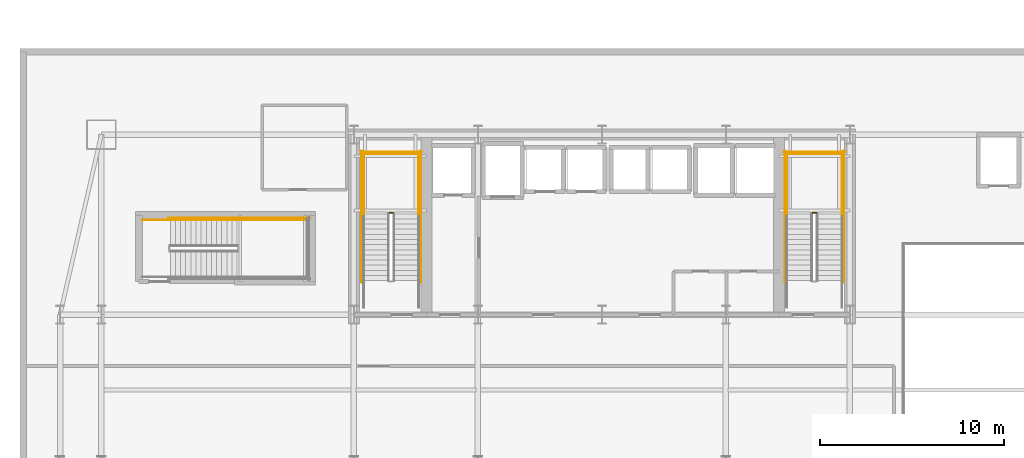
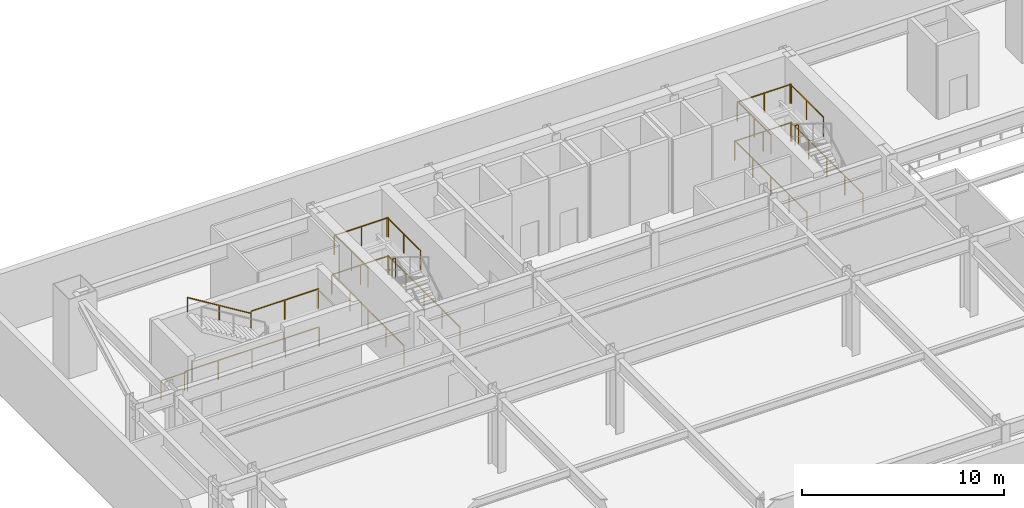
# One storey, part 20 of 25: 18 railings.
"""IFC4 building model written with IfcOpenShell, lengths in metres."""

from ifc_helpers import new_model, si_unit, direction, frame, origin, origin_2d, place, context, subcontext, project, spatial, rectangle, extrude, material, type_object, element, save


model = new_model("IFC4")

# Units and contexts
model_context = context("Model", 3, precision=1e-05, world=origin(), true_north=direction((0.0, 1.0)))
body_context = subcontext(model_context, "Body", "Model", "MODEL_VIEW")
ifc_project = project(units=[si_unit("LENGTHUNIT", "METRE"), si_unit("AREAUNIT", "SQUARE_METRE"), si_unit("VOLUMEUNIT", "CUBIC_METRE"), si_unit("PLANEANGLEUNIT", "RADIAN"), si_unit("MASSUNIT", "GRAM", prefix="KILO")], contexts=[model_context])

# Site, building, storey
site_placement = place(None, origin())
site = spatial("IfcSite", under=ifc_project, at=site_placement, CompositionType="ELEMENT")
building_placement = place(site_placement, origin())
building = spatial("IfcBuilding", under=site, at=building_placement, Name="Haevon Station Towers", CompositionType="ELEMENT")
storey_placement = place(building_placement, frame((0.0, 0.0, 6.0)))
storey = spatial("IfcBuildingStorey", under=building, at=storey_placement, Name="L01", CompositionType="ELEMENT", Elevation=6.0)

# Railings
ifc_material = material(Name="Steel S355", Category="steel")
railing_type_1 = type_object("IfcRailingType", Name="GRD-STR1200", PredefinedType="GUARDRAIL", material=ifc_material)
railing_1_placement = place(storey_placement, frame((26.1298828125, 43.739990234375, 2.39990234375)))
element("IfcRailing", 1, at=railing_1_placement, inside=storey, type_object=railing_type_1, Name="L01 ST1 Stair Guard 2", PredefinedType="GUARDRAIL", context=body_context, shape_type="SweptSolid", body=[
    extrude(rectangle(XDim=0.048095703125, YDim=0.048095703125, at=origin_2d()), frame((0.0, 0.0, 1.17578125), z_axis=(-1.0, 0.0, 0.0), x_axis=(0.0, -1.0, 0.0)), (0.0, 0.0, 1.0), 0.199951171875),
    extrude(rectangle(XDim=0.0419921875, YDim=0.0419921875, at=origin_2d()), origin(), (0.0, 0.0, 1.0), 1.15185546875),
    extrude(rectangle(XDim=0.0419921875, YDim=0.0419921875, at=origin_2d()), frame((-0.199951171875, 0.0, 0.0)), (0.0, 0.0, 1.0), 1.15185546875),
])
for number, where, name in (
    (2, (27.530029296875, 43.68994140625, 2.39990234375), "L01 ST1 Stair Guard 3"),
    (3, (24.530029296875, 43.68994140625, 2.39990234375), "L01 ST1 Stair Guard 4"),
):
    element("IfcRailing", number, at=place(storey_placement, frame(where)), inside=storey, type_object=railing_type_1, Name=name, PredefinedType="GUARDRAIL", context=body_context, shape_type="SweptSolid", body=[
        extrude(rectangle(XDim=0.048095703125, YDim=0.048095703125, at=origin_2d()), frame((0.0, 0.0, 1.17578125), z_axis=(0.0, 1.0, 0.0), x_axis=(-1.0, 0.0, 0.0)), (0.0, 0.0, 1.0), 3.31005859375),
        extrude(rectangle(XDim=0.0419921875, YDim=0.0419921875, at=origin_2d()), origin(), (0.0, 0.0, 1.0), 1.15185546875),
        extrude(rectangle(XDim=0.0419921875, YDim=0.0419921875, at=origin_2d()), frame((0.0, 1.655029296875, 0.0)), (0.0, 0.0, 1.0), 1.15185546875),
        extrude(rectangle(XDim=0.0419921875, YDim=0.0419921875, at=origin_2d()), frame((0.0, 3.31005859375, 0.0)), (0.0, 0.0, 1.0), 1.15185546875),
    ])
railing_2_placement = place(storey_placement, frame((27.580078125, 46.949951171875, 2.39990234375)))
element("IfcRailing", 4, at=railing_2_placement, inside=storey, type_object=railing_type_1, Name="L01 ST1 Stair Guard 5", PredefinedType="GUARDRAIL", context=body_context, shape_type="SweptSolid", body=[
    extrude(rectangle(XDim=0.048095703125, YDim=0.048095703125, at=origin_2d()), frame((0.0, 0.0, 1.17578125), z_axis=(-1.0, 0.0, 0.0), x_axis=(0.0, -1.0, 0.0)), (0.0, 0.0, 1.0), 3.10009765625),
    extrude(rectangle(XDim=0.0419921875, YDim=0.0419921875, at=origin_2d()), origin(), (0.0, 0.0, 1.0), 1.15185546875),
    extrude(rectangle(XDim=0.0419921875, YDim=0.0419921875, at=origin_2d()), frame((-1.550048828125, 0.0, 0.0)), (0.0, 0.0, 1.0), 1.15185546875),
    extrude(rectangle(XDim=0.0419921875, YDim=0.0419921875, at=origin_2d()), frame((-3.10009765625, 0.0, 0.0)), (0.0, 0.0, 1.0), 1.15185546875),
])
for number, where, name in (
    (5, (27.6298828125, 39.949951171875, 0.0), "L01 ST1 Stair Guard 10"),
    (6, (24.429931640625, 39.949951171875, 0.0), "L01 ST1 Stair Guard 11"),
):
    element("IfcRailing", number, at=place(storey_placement, frame(where)), inside=storey, type_object=railing_type_1, Name=name, PredefinedType="GUARDRAIL", context=body_context, shape_type="SweptSolid", body=[
        extrude(rectangle(XDim=0.048095703125, YDim=0.048095703125, at=origin_2d()), frame((0.0, 0.0, 1.17578125), z_axis=(0.0, 1.0, 0.0), x_axis=(-1.0, 0.0, 0.0)), (0.0, 0.0, 1.0), 7.150146484375),
        extrude(rectangle(XDim=0.0419921875, YDim=0.0419921875, at=origin_2d()), origin(), (0.0, 0.0, 1.0), 1.15185546875),
        extrude(rectangle(XDim=0.0419921875, YDim=0.0419921875, at=origin_2d()), frame((0.0, 1.78759765625, 0.0)), (0.0, 0.0, 1.0), 1.15185546875),
        extrude(rectangle(XDim=0.0419921875, YDim=0.0419921875, at=origin_2d()), frame((0.0, 3.5751953125, 0.0)), (0.0, 0.0, 1.0), 1.15185546875),
        extrude(rectangle(XDim=0.0419921875, YDim=0.0419921875, at=origin_2d()), frame((0.0, 5.362548828125, 0.0)), (0.0, 0.0, 1.0), 1.15185546875),
        extrude(rectangle(XDim=0.0419921875, YDim=0.0419921875, at=origin_2d()), frame((0.0, 7.150146484375, 0.0)), (0.0, 0.0, 1.0), 1.15185546875),
    ])
railing_3_placement = place(storey_placement, frame((27.679931640625, 47.050048828125, 0.0)))
element("IfcRailing", 7, at=railing_3_placement, inside=storey, type_object=railing_type_1, Name="L01 ST1 Stair Guard 12", PredefinedType="GUARDRAIL", context=body_context, shape_type="SweptSolid", body=[
    extrude(rectangle(XDim=0.048095703125, YDim=0.048095703125, at=origin_2d()), frame((0.0, 0.0, 1.17578125), z_axis=(-1.0, 0.0, 0.0), x_axis=(0.0, -1.0, 0.0)), (0.0, 0.0, 1.0), 3.300048828125),
    extrude(rectangle(XDim=0.0419921875, YDim=0.0419921875, at=origin_2d()), origin(), (0.0, 0.0, 1.0), 1.15185546875),
    extrude(rectangle(XDim=0.0419921875, YDim=0.0419921875, at=origin_2d()), frame((-1.64990234375, 0.0, 0.0)), (0.0, 0.0, 1.0), 1.15185546875),
    extrude(rectangle(XDim=0.0419921875, YDim=0.0419921875, at=origin_2d()), frame((-3.300048828125, 0.0, 0.0)), (0.0, 0.0, 1.0), 1.15185546875),
])
railing_4_placement = place(storey_placement, frame((49.169921875, 43.739990234375, 2.39990234375)))
element("IfcRailing", 8, at=railing_4_placement, inside=storey, type_object=railing_type_1, Name="L01 ST2 Stair Guard 2", PredefinedType="GUARDRAIL", context=body_context, shape_type="SweptSolid", body=[
    extrude(rectangle(XDim=0.048095703125, YDim=0.048095703125, at=origin_2d()), frame((0.0, 0.0, 1.17578125), z_axis=(-1.0, 0.0, 0.0), x_axis=(0.0, -1.0, 0.0)), (0.0, 0.0, 1.0), 0.199951171875),
    extrude(rectangle(XDim=0.0419921875, YDim=0.0419921875, at=origin_2d()), origin(), (0.0, 0.0, 1.0), 1.15185546875),
    extrude(rectangle(XDim=0.0419921875, YDim=0.0419921875, at=origin_2d()), frame((-0.199951171875, 0.0, 0.0)), (0.0, 0.0, 1.0), 1.15185546875),
])
for number, where, name in (
    (9, (50.570068359375, 43.68994140625, 2.39990234375), "L01 ST2 Stair Guard 3"),
    (10, (47.570068359375, 43.68994140625, 2.39990234375), "L01 ST2 Stair Guard 4"),
):
    element("IfcRailing", number, at=place(storey_placement, frame(where)), inside=storey, type_object=railing_type_1, Name=name, PredefinedType="GUARDRAIL", context=body_context, shape_type="SweptSolid", body=[
        extrude(rectangle(XDim=0.048095703125, YDim=0.048095703125, at=origin_2d()), frame((0.0, 0.0, 1.17578125), z_axis=(0.0, 1.0, 0.0), x_axis=(-1.0, 0.0, 0.0)), (0.0, 0.0, 1.0), 3.31005859375),
        extrude(rectangle(XDim=0.0419921875, YDim=0.0419921875, at=origin_2d()), origin(), (0.0, 0.0, 1.0), 1.15185546875),
        extrude(rectangle(XDim=0.0419921875, YDim=0.0419921875, at=origin_2d()), frame((0.0, 1.655029296875, 0.0)), (0.0, 0.0, 1.0), 1.15185546875),
        extrude(rectangle(XDim=0.0419921875, YDim=0.0419921875, at=origin_2d()), frame((0.0, 3.31005859375, 0.0)), (0.0, 0.0, 1.0), 1.15185546875),
    ])
railing_5_placement = place(storey_placement, frame((50.6201171875, 46.949951171875, 2.39990234375)))
element("IfcRailing", 11, at=railing_5_placement, inside=storey, type_object=railing_type_1, Name="L01 ST2 Stair Guard 5", PredefinedType="GUARDRAIL", context=body_context, shape_type="SweptSolid", body=[
    extrude(rectangle(XDim=0.048095703125, YDim=0.048095703125, at=origin_2d()), frame((0.0, 0.0, 1.17578125), z_axis=(-1.0, 0.0, 0.0), x_axis=(0.0, -1.0, 0.0)), (0.0, 0.0, 1.0), 3.10009765625),
    extrude(rectangle(XDim=0.0419921875, YDim=0.0419921875, at=origin_2d()), origin(), (0.0, 0.0, 1.0), 1.15185546875),
    extrude(rectangle(XDim=0.0419921875, YDim=0.0419921875, at=origin_2d()), frame((-1.550048828125, 0.0, 0.0)), (0.0, 0.0, 1.0), 1.15185546875),
    extrude(rectangle(XDim=0.0419921875, YDim=0.0419921875, at=origin_2d()), frame((-3.10009765625, 0.0, 0.0)), (0.0, 0.0, 1.0), 1.15185546875),
])
for number, where, name in (
    (12, (50.669921875, 39.949951171875, 0.0), "L01 ST2 Stair Guard 10"),
    (13, (47.469970703125, 39.949951171875, 0.0), "L01 ST2 Stair Guard 11"),
):
    element("IfcRailing", number, at=place(storey_placement, frame(where)), inside=storey, type_object=railing_type_1, Name=name, PredefinedType="GUARDRAIL", context=body_context, shape_type="SweptSolid", body=[
        extrude(rectangle(XDim=0.048095703125, YDim=0.048095703125, at=origin_2d()), frame((0.0, 0.0, 1.17578125), z_axis=(0.0, 1.0, 0.0), x_axis=(-1.0, 0.0, 0.0)), (0.0, 0.0, 1.0), 7.150146484375),
        extrude(rectangle(XDim=0.0419921875, YDim=0.0419921875, at=origin_2d()), origin(), (0.0, 0.0, 1.0), 1.15185546875),
        extrude(rectangle(XDim=0.0419921875, YDim=0.0419921875, at=origin_2d()), frame((0.0, 1.78759765625, 0.0)), (0.0, 0.0, 1.0), 1.15185546875),
        extrude(rectangle(XDim=0.0419921875, YDim=0.0419921875, at=origin_2d()), frame((0.0, 3.5751953125, 0.0)), (0.0, 0.0, 1.0), 1.15185546875),
        extrude(rectangle(XDim=0.0419921875, YDim=0.0419921875, at=origin_2d()), frame((0.0, 5.362548828125, 0.0)), (0.0, 0.0, 1.0), 1.15185546875),
        extrude(rectangle(XDim=0.0419921875, YDim=0.0419921875, at=origin_2d()), frame((0.0, 7.150146484375, 0.0)), (0.0, 0.0, 1.0), 1.15185546875),
    ])
railing_6_placement = place(storey_placement, frame((50.719970703125, 47.050048828125, 0.0)))
element("IfcRailing", 14, at=railing_6_placement, inside=storey, type_object=railing_type_1, Name="L01 ST2 Stair Guard 12", PredefinedType="GUARDRAIL", context=body_context, shape_type="SweptSolid", body=[
    extrude(rectangle(XDim=0.048095703125, YDim=0.048095703125, at=origin_2d()), frame((0.0, 0.0, 1.17578125), z_axis=(-1.0, 0.0, 0.0), x_axis=(0.0, -1.0, 0.0)), (0.0, 0.0, 1.0), 3.300048828125),
    extrude(rectangle(XDim=0.0419921875, YDim=0.0419921875, at=origin_2d()), origin(), (0.0, 0.0, 1.0), 1.15185546875),
    extrude(rectangle(XDim=0.0419921875, YDim=0.0419921875, at=origin_2d()), frame((-1.64990234375, 0.0, 0.0)), (0.0, 0.0, 1.0), 1.15185546875),
    extrude(rectangle(XDim=0.0419921875, YDim=0.0419921875, at=origin_2d()), frame((-3.300048828125, 0.0, 0.0)), (0.0, 0.0, 1.0), 1.15185546875),
])
railing_7_placement = place(storey_placement, frame((17.639892578125, 43.35009765625, 2.39990234375)))
element("IfcRailing", 15, at=railing_7_placement, inside=storey, type_object=railing_type_1, Name="L01 ST5 Stair Guard 4", PredefinedType="GUARDRAIL", context=body_context, shape_type="SweptSolid", body=[
    extrude(rectangle(XDim=0.048095703125, YDim=0.048095703125, at=origin_2d()), frame((0.0, 0.0, 1.17578125), z_axis=(1.0, 0.0, 0.0), x_axis=(0.0, 1.0, 0.0)), (0.0, 0.0, 1.0), 3.860107421875),
    extrude(rectangle(XDim=0.0419921875, YDim=0.0419921875, at=origin_2d()), origin(), (0.0, 0.0, 1.0), 1.15185546875),
    extrude(rectangle(XDim=0.0419921875, YDim=0.0419921875, at=origin_2d()), frame((1.93017578125, 0.0, 0.0)), (0.0, 0.0, 1.0), 1.15185546875),
    extrude(rectangle(XDim=0.0419921875, YDim=0.0419921875, at=origin_2d()), frame((3.860107421875, 0.0, 0.0)), (0.0, 0.0, 1.0), 1.15185546875),
])
railing_8_placement = place(storey_placement, frame((12.5, 43.35009765625, 0.0)))
element("IfcRailing", 16, at=railing_8_placement, inside=storey, type_object=railing_type_1, Name="L01 ST5 Stair Guard 9", PredefinedType="GUARDRAIL", context=body_context, shape_type="SweptSolid", body=[
    extrude(rectangle(XDim=0.048095703125, YDim=0.048095703125, at=origin_2d()), frame((0.0, 0.0, 1.17578125), z_axis=(1.0, 0.0, 0.0), x_axis=(0.0, 1.0, 0.0)), (0.0, 0.0, 1.0), 1.5),
    extrude(rectangle(XDim=0.0419921875, YDim=0.0419921875, at=origin_2d()), origin(), (0.0, 0.0, 1.0), 1.15185546875),
    extrude(rectangle(XDim=0.0419921875, YDim=0.0419921875, at=origin_2d()), frame((1.5, 0.0, 0.0)), (0.0, 0.0, 1.0), 1.15185546875),
])
railing_9_placement = place(storey_placement, frame((13.89990234375, 43.449951171875, 0.0)))
element("IfcRailing", 17, at=railing_9_placement, inside=storey, type_object=railing_type_1, Name="L01 ST5 Stair Guard 11", PredefinedType="GUARDRAIL", context=body_context, shape_type="SweptSolid", body=[
    extrude(rectangle(XDim=0.048095703125, YDim=0.048095703125, at=origin_2d()), frame((0.0, 0.0, 1.17578125), z_axis=(1.0, 0.0, 0.0), x_axis=(0.0, 1.0, 0.0)), (0.0, 0.0, 1.0), 7.7001953125),
    extrude(rectangle(XDim=0.0419921875, YDim=0.0419921875, at=origin_2d()), origin(), (0.0, 0.0, 1.0), 1.15185546875),
    extrude(rectangle(XDim=0.0419921875, YDim=0.0419921875, at=origin_2d()), frame((1.925048828125, 0.0, 0.0)), (0.0, 0.0, 1.0), 1.15185546875),
    extrude(rectangle(XDim=0.0419921875, YDim=0.0419921875, at=origin_2d()), frame((3.85009765625, 0.0, 0.0)), (0.0, 0.0, 1.0), 1.15185546875),
    extrude(rectangle(XDim=0.0419921875, YDim=0.0419921875, at=origin_2d()), frame((5.775146484375, 0.0, 0.0)), (0.0, 0.0, 1.0), 1.15185546875),
    extrude(rectangle(XDim=0.0419921875, YDim=0.0419921875, at=origin_2d()), frame((7.7001953125, 0.0, 0.0)), (0.0, 0.0, 1.0), 1.15185546875),
])
railing_type_2 = type_object("IfcRailingType", Name="HND-STR900", PredefinedType="HANDRAIL", material=ifc_material)
railing_10_placement = place(storey_placement, frame((17.639892578125, 43.35009765625, 2.571533203125)))
element("IfcRailing", 18, at=railing_10_placement, inside=storey, type_object=railing_type_2, Name="L01 ST5 Stair Handrail 2", PredefinedType="HANDRAIL", context=body_context, shape_type="SweptSolid", body=[
    extrude(rectangle(XDim=0.048095703125, YDim=0.048095703125, at=origin_2d()), frame((0.0, 0.0, 0.8759765625), z_axis=(-0.852850264322, 0.0, 0.5221555579), x_axis=(0.0, -1.0, 0.0)), (0.0, 0.0, 1.0), 4.267822265625),
    extrude(rectangle(XDim=0.0419921875, YDim=0.0419921875, at=origin_2d()), origin(), (0.0, 0.0, 1.0), 0.851806640625),
    extrude(rectangle(XDim=0.0419921875, YDim=0.0419921875, at=origin_2d()), frame((-1.81982421875, 0.0, 1.1142578125)), (0.0, 0.0, 1.0), 0.851806640625),
    extrude(rectangle(XDim=0.0419921875, YDim=0.0419921875, at=origin_2d()), frame((-3.639892578125, 0.0, 2.228515625)), (0.0, 0.0, 1.0), 0.851806640625),
])

save(model, "model.ifc")
